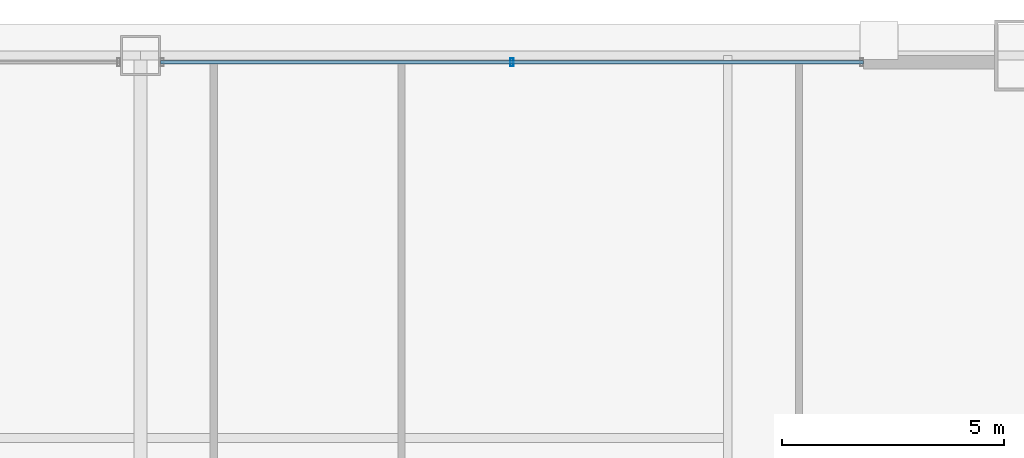
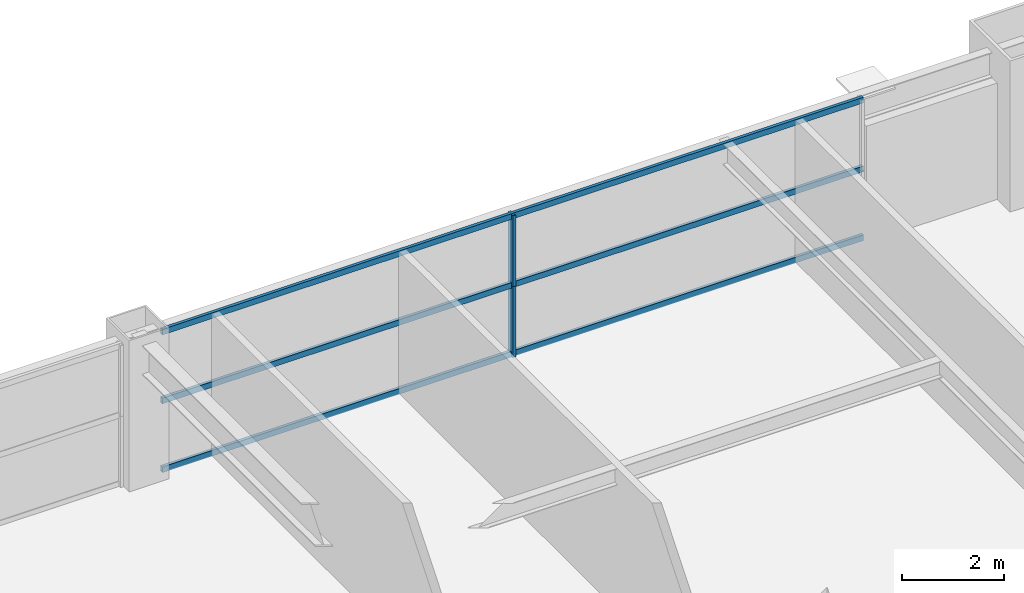
# One storey, part 31 of 39: 5 members, 1 element without a shape of its own.
"""IFC4 building model written with IfcOpenShell, lengths in metres."""

import ifcopenshell
import ifcopenshell.guid

model = None  # the IFC model being written
_history = None  # IfcOwnerHistory: only IFC2X3 demands one
_inside = {}  # id of a spatial element -> (the spatial element, [elements in it])
_under = {}  # id of a project, library or spatial element -> (it, [spatial elements below it])
_declared = {}  # id of a project -> (the project, [libraries it declares])
_typed = {}  # id of a type object -> (the type object, [elements of that type])
_made_of = {}  # id of a material, layer set ... -> (it, [elements and type objects made of it])


def new_model(schema):
    """Start an empty IFC model of exactly this schema.

    Asked for "IFC4X3", IfcOpenShell would pick the latest addendum, in which some entities
    have other attributes; the version numbers below select the first issue.
    IFC2X3 requires an IfcOwnerHistory on every rooted entity: one is made here for all.
    """
    global model, _history
    if schema == "IFC4X3":
        model = ifcopenshell.file(schema_version=(4, 3, 0, 0))
    else:
        model = ifcopenshell.file(schema=schema)
    _inside.clear()
    _under.clear()
    _declared.clear()
    _typed.clear()
    _made_of.clear()
    _history = None
    if model.schema == "IFC2X3":
        org = make("IfcOrganization", Name="unknown")
        user = make(
            "IfcPersonAndOrganization",
            ThePerson=make("IfcPerson", FamilyName="unknown"),
            TheOrganization=org,
        )
        app = make(
            "IfcApplication",
            ApplicationDeveloper=org,
            Version="unknown",
            ApplicationFullName="unknown",
            ApplicationIdentifier="unknown",
        )
        _history = make(
            "IfcOwnerHistory",
            OwningUser=user,
            OwningApplication=app,
            ChangeAction="ADDED",
            CreationDate=0,
        )
    return model


def make(cls, **values):
    """One entity of the class cls with the attributes given. An attribute that is None is left unset."""
    return model.create_entity(
        cls, **{name: value for name, value in values.items() if value is not None}
    )


def rooted(cls, **values):
    """An entity with a GlobalId (a new one), such as an element, a storey or a relation."""
    return make(cls, GlobalId=ifcopenshell.guid.new(), OwnerHistory=_history, **values)


def si_unit(unit_type, name, prefix=None):
    """IfcSIUnit, for example si_unit("LENGTHUNIT", "METRE", prefix="MILLI")."""
    return make("IfcSIUnit", UnitType=unit_type, Prefix=prefix, Name=name)


def assignment(units):
    """IfcUnitAssignment: the units of a project."""
    return None if units is None else make("IfcUnitAssignment", Units=units)


def point(xyz):
    """IfcCartesianPoint."""
    return None if xyz is None else make("IfcCartesianPoint", Coordinates=xyz)


def direction(xyz):
    """IfcDirection."""
    return None if xyz is None else make("IfcDirection", DirectionRatios=xyz)


def frame(location, z_axis=None, x_axis=None):
    """IfcAxis2Placement3D, a coordinate frame: its origin and axes. An axis left out is left unset."""
    return make(
        "IfcAxis2Placement3D",
        Location=point(location),
        Axis=direction(z_axis),
        RefDirection=direction(x_axis),
    )


def frame_2d(location, x_axis=None):
    """IfcAxis2Placement2D, a coordinate frame in the plane: its origin and x axis."""
    return make(
        "IfcAxis2Placement2D", Location=point(location), RefDirection=direction(x_axis)
    )


def origin():
    """The frame at (0, 0, 0) with its axes left unset."""
    return frame((0.0, 0.0, 0.0))


def origin_2d():
    """The frame at (0, 0) in the plane with its x axis left unset."""
    return frame_2d((0.0, 0.0))


def place(relative_to, where):
    """IfcLocalPlacement: puts the frame where relative to a parent placement (None: the world)."""
    return make(
        "IfcLocalPlacement", PlacementRelTo=relative_to, RelativePlacement=where
    )


def context(
    kind, dimensions, precision=None, world=None, true_north=None, identifier=None
):
    """IfcGeometricRepresentationContext, for example the 3D "Model" context."""
    return make(
        "IfcGeometricRepresentationContext",
        ContextIdentifier=identifier,
        ContextType=kind,
        CoordinateSpaceDimension=dimensions,
        Precision=precision,
        WorldCoordinateSystem=world,
        TrueNorth=true_north,
    )


def subcontext(parent, identifier, kind, view, scale=None):
    """IfcGeometricRepresentationSubContext, for example "Body" below "Model"."""
    return make(
        "IfcGeometricRepresentationSubContext",
        ContextIdentifier=identifier,
        ContextType=kind,
        ParentContext=parent,
        TargetScale=scale,
        TargetView=view,
    )


def project(units=None, contexts=None):
    """IfcProject with its units and contexts."""
    return rooted(
        "IfcProject",
        Name="project",
        RepresentationContexts=contexts,
        UnitsInContext=assignment(units),
    )


def spatial(cls, under=None, at=None, **own):
    """A site, building, storey or space (cls), placed at a placement, below another one or the project."""
    s = rooted(cls, ObjectPlacement=at, **own)
    if under is not None:
        _under.setdefault(under.id(), (under, []))[1].append(s)
    return s


def profile(cls, at=None, kind="AREA", **sizes):
    """A parametric profile (cls). Its sizes go by their IFC names, for example OverallWidth=200.0."""
    return make(cls, ProfileType=kind, Position=at, **sizes)


def hollow_rectangle(**sizes):
    """IfcRectangleHollowProfileDef."""
    return profile("IfcRectangleHollowProfileDef", **sizes)


def extrude(swept, where, along, depth):
    """IfcExtrudedAreaSolid: the profile swept, set in the frame where, extruded along a direction by depth."""
    return make(
        "IfcExtrudedAreaSolid",
        SweptArea=swept,
        Position=where,
        ExtrudedDirection=direction(along),
        Depth=depth,
    )


def shape(context_of_items, identifier, shape_type, items):
    """IfcShapeRepresentation: the items that make up one representation, for example the "Body"."""
    return make(
        "IfcShapeRepresentation",
        ContextOfItems=context_of_items,
        RepresentationIdentifier=identifier,
        RepresentationType=shape_type,
        Items=items,
    )


def source(mapping_origin, context_of_items, identifier, shape_type, items):
    """IfcRepresentationMap: a shape defined once, which mapped items show again and again."""
    return make(
        "IfcRepresentationMap",
        MappingOrigin=mapping_origin,
        MappedRepresentation=shape(context_of_items, identifier, shape_type, items),
    )


def transform(
    local_origin,
    x_axis=None,
    y_axis=None,
    z_axis=None,
    scale=None,
    scale2=None,
    scale3=None,
    uniform=True,
):
    """IfcCartesianTransformationOperator3D, or its non-uniform kind. x_axis, y_axis, z_axis: its Axis1, 2, 3."""
    if uniform:
        return make(
            "IfcCartesianTransformationOperator3D",
            Axis1=direction(x_axis),
            Axis2=direction(y_axis),
            LocalOrigin=point(local_origin),
            Scale=scale,
            Axis3=direction(z_axis),
        )
    return make(
        "IfcCartesianTransformationOperator3DnonUniform",
        Axis1=direction(x_axis),
        Axis2=direction(y_axis),
        LocalOrigin=point(local_origin),
        Scale=scale,
        Axis3=direction(z_axis),
        Scale2=scale2,
        Scale3=scale3,
    )


def mapped(mapping_source, mapping_target):
    """IfcMappedItem: shows the shape of a source again, moved by a transform."""
    return make(
        "IfcMappedItem", MappingSource=mapping_source, MappingTarget=mapping_target
    )


def material(Name=None, Category=None):
    """IfcMaterial."""
    return make("IfcMaterial", Name=Name, Category=Category)


def layer(
    of_material, thickness, ventilated=None, Name=None, Category=None, Priority=None
):
    """IfcMaterialLayer: one layer of a wall or slab, of a material (None: an air gap)."""
    return make(
        "IfcMaterialLayer",
        Material=of_material,
        LayerThickness=thickness,
        IsVentilated=ventilated,
        Name=Name,
        Category=Category,
        Priority=Priority,
    )


def layer_set(layers, Name=None):
    """IfcMaterialLayerSet."""
    return make("IfcMaterialLayerSet", MaterialLayers=layers, LayerSetName=Name)


def material_profile(
    of_material, cross_section, Name=None, Category=None, Priority=None
):
    """IfcMaterialProfile: a cross section and its material."""
    return make(
        "IfcMaterialProfile",
        Name=Name,
        Material=of_material,
        Profile=cross_section,
        Priority=Priority,
        Category=Category,
    )


def profile_set(profiles, Name=None, composite=None):
    """IfcMaterialProfileSet."""
    return make(
        "IfcMaterialProfileSet",
        Name=Name,
        MaterialProfiles=profiles,
        CompositeProfile=composite,
    )


def made_of(thing, what):
    """Note that an element or type object is made of a material, layer set ...; save() writes the relation."""
    if what is not None:
        _made_of.setdefault(what.id(), (what, []))[1].append(thing)
    return thing


def type_object(cls, material=None, **own):
    """A type object (cls), such as IfcWallType, which elements share."""
    return made_of(rooted(cls, **own), material)


def element(
    cls,
    number,
    at=None,
    inside=None,
    cuts=None,
    type_object=None,
    material=None,
    context=None,
    identifier="Body",
    shape_type=None,
    held_by="IfcProductDefinitionShape",
    body=None,
    shapes=None,
    **own,
):
    """One element of the class cls, such as IfcWall. Its Tag is "e" and its number.

    at: its placement. inside: the storey or other place that contains it. cuts: it is an
    opening in that element (IfcRelVoidsElement). A single representation is given by context,
    identifier, shape_type and body (its items); several are given by shapes. held_by: the class
    of the entity that holds the representations. save() writes the other relations.
    """
    e = rooted(cls, Tag="e%d" % number, ObjectPlacement=at, **own)
    if body is not None:
        shapes = [shape(context, identifier, shape_type, body)]
    if shapes is not None:
        e.Representation = make(held_by, Representations=shapes)
    if inside is not None:
        _inside.setdefault(inside.id(), (inside, []))[1].append(e)
    if cuts is not None:
        rooted(
            "IfcRelVoidsElement", RelatingBuildingElement=cuts, RelatedOpeningElement=e
        )
    if type_object is not None:
        _typed.setdefault(type_object.id(), (type_object, []))[1].append(e)
    return made_of(e, material)


def aggregate(whole, parts):
    """IfcRelAggregates: a whole, such as a stair, and the parts it consists of."""
    return rooted("IfcRelAggregates", RelatingObject=whole, RelatedObjects=parts)


def save(model, path):
    """Write the relations noted so far, then the file.

    IfcRelAggregates (storeys below a building ...), IfcRelContainedInSpatialStructure (elements
    in a storey), IfcRelDefinesByType, IfcRelAssociatesMaterial and IfcRelDeclares: one each for
    every whole, place, type object, material and project.
    """
    for whole, parts in _under.values():
        aggregate(whole, parts)
    for where, things in _inside.values():
        rooted(
            "IfcRelContainedInSpatialStructure",
            RelatedElements=things,
            RelatingStructure=where,
        )
    for kind, things in _typed.values():
        rooted("IfcRelDefinesByType", RelatedObjects=things, RelatingType=kind)
    for what, things in _made_of.values():
        rooted("IfcRelAssociatesMaterial", RelatedObjects=things, RelatingMaterial=what)
    for by, libraries in _declared.values():
        rooted("IfcRelDeclares", RelatingContext=by, RelatedDefinitions=libraries)
    model.write(path)


model = new_model("IFC4")

# Units and contexts
model_context = context("Model", 3, precision=1e-05, world=origin(), true_north=direction((0.0, 1.0)))
body_context = subcontext(model_context, "Body", "Model", "MODEL_VIEW")
ifc_project = project(units=[si_unit("LENGTHUNIT", "METRE"), si_unit("AREAUNIT", "SQUARE_METRE"), si_unit("VOLUMEUNIT", "CUBIC_METRE"), si_unit("PLANEANGLEUNIT", "RADIAN"), si_unit("MASSUNIT", "GRAM", prefix="KILO"), si_unit("THERMODYNAMICTEMPERATUREUNIT", "KELVIN"), si_unit("POWERUNIT", "WATT")], contexts=[model_context])

# Site, building, storey
site_placement = place(None, origin())
site = spatial("IfcSite", under=ifc_project, at=site_placement, CompositionType="ELEMENT")
building_placement = place(site_placement, origin())
building = spatial("IfcBuilding", under=site, at=building_placement, Name="Yuzanri Waterfront Tower", CompositionType="ELEMENT")
storey_placement = place(building_placement, frame((0.0, 0.0, 148.800048828125)))
storey = spatial("IfcBuildingStorey", under=building, at=storey_placement, Name="L39", CompositionType="ELEMENT", Elevation=148.800048828125)

# Curtain wall, members
ifc_material_1 = material(Name="Anodized Architectural Bronze", Category="metal")
ifc_layer = layer(ifc_material_1, 0.159912109375)
ifc_layer_set = layer_set([ifc_layer], Name="Anodized Architectural Bronze")
curtain_wall_type = type_object("IfcCurtainWallType", Name="Anodized Bronze Hotel Upper-Tier Solar-Control Unitized Curtain Wall 7800", PredefinedType="NOTDEFINED", material=ifc_layer_set)
curtain_wall_placement = place(storey_placement, origin())
curtain_wall = element("IfcCurtainWall", 1, at=curtain_wall_placement, inside=storey, type_object=curtain_wall_type, Name="L39 Curtain Wall CW-L39-NR", PredefinedType="NOTDEFINED")
ifc_material_2 = material(Name="Anodized Architectural Bronze", Category="metal")
ifc_material_profile_1 = material_profile(ifc_material_2, hollow_rectangle(XDim=0.070068359375, YDim=0.179931640625, WallThickness=0.00390625, at=origin_2d()), Name="CWM 70x180")
ifc_profile_set_1 = profile_set([ifc_material_profile_1], Name="Anodized Architectural Bronze")
member_type_1 = type_object("IfcMemberType", Name="Anodized Bronze Standard Curtain-Wall Mullion 70x180", PredefinedType="MULLION", material=ifc_profile_set_1)
shared_shape_1 = source(origin(), body_context, "Body", "SweptSolid", [
    extrude(hollow_rectangle(XDim=0.070068359375, YDim=0.179931640625, WallThickness=0.00390625, at=origin_2d()), origin(), (0.0, 0.0, 1.0), 1.68798828125),
])
member_1_placement = place(storey_placement, frame((45.35009765625, 49.25, 0.0), z_axis=(0.0, 0.0, 1.0), x_axis=(1.0, 0.0, 0.0)))
member_1 = element("IfcMember", 2, at=member_1_placement, type_object=member_type_1, Name="CW-L39-NR Lower Mullion 01", PredefinedType="MULLION", context=body_context, shape_type="MappedRepresentation", body=[
    mapped(shared_shape_1, transform((0.0, 0.0, 0.0), scale=1.0)),
])
member_2_placement = place(storey_placement, frame((45.35009765625, 49.25, 1.69189453125), z_axis=(0.0, 0.0, 1.0), x_axis=(1.0, 0.0, 0.0)))
member_2 = element("IfcMember", 3, at=member_2_placement, type_object=member_type_1, Name="CW-L39-NR Upper Mullion 01", PredefinedType="MULLION", context=body_context, shape_type="MappedRepresentation", body=[
    mapped(shared_shape_1, transform((0.0, 0.0, 0.0), scale=1.0)),
])
ifc_material_3 = material(Name="Anodized Architectural Bronze", Category="metal")
ifc_material_profile_2 = material_profile(ifc_material_3, hollow_rectangle(XDim=0.070068359375, YDim=0.135009765625, WallThickness=0.00341796875, at=origin_2d()), Name="CWT 70x135")
ifc_profile_set_2 = profile_set([ifc_material_profile_2], Name="Anodized Architectural Bronze")
member_type_2 = type_object("IfcMemberType", Name="Anodized Bronze Standard Curtain-Wall Transom 70x135", PredefinedType="USERDEFINED", material=ifc_profile_set_2)
shared_shape_2 = source(origin(), body_context, "Body", "SweptSolid", [
    extrude(hollow_rectangle(XDim=0.070068359375, YDim=0.135009765625, WallThickness=0.00341796875, at=origin_2d()), origin(), (0.0, 0.0, 1.0), 15.800048828125),
])
member_3_placement = place(storey_placement, frame((37.449951171875, 49.25, 0.050048828125), z_axis=(1.0, 0.0, 0.0), x_axis=(0.0, 1.0, 0.0)))
member_3 = element("IfcMember", 4, at=member_3_placement, type_object=member_type_2, Name="CW-L39-NR Transom 1", ObjectType="TRANSOM", PredefinedType="USERDEFINED", context=body_context, shape_type="MappedRepresentation", body=[
    mapped(shared_shape_2, transform((0.0, 0.0, 0.0), scale=1.0)),
])
member_4_placement = place(storey_placement, frame((37.449951171875, 49.25, 1.68994140625), z_axis=(1.0, 0.0, 0.0), x_axis=(0.0, 1.0, 0.0)))
member_4 = element("IfcMember", 5, at=member_4_placement, type_object=member_type_2, Name="CW-L39-NR Transom 2", ObjectType="TRANSOM", PredefinedType="USERDEFINED", context=body_context, shape_type="MappedRepresentation", body=[
    mapped(shared_shape_2, transform((0.0, 0.0, 0.0), scale=1.0)),
])
member_5_placement = place(storey_placement, frame((37.449951171875, 49.25, 3.329833984375), z_axis=(1.0, 0.0, 0.0), x_axis=(0.0, 1.0, 0.0)))
member_5 = element("IfcMember", 6, at=member_5_placement, type_object=member_type_2, Name="CW-L39-NR Transom 3", ObjectType="TRANSOM", PredefinedType="USERDEFINED", context=body_context, shape_type="MappedRepresentation", body=[
    mapped(shared_shape_2, transform((0.0, 0.0, 0.0), scale=1.0)),
])
aggregate(curtain_wall, [member_1, member_2, member_3, member_4, member_5])

save(model, "model.ifc")
